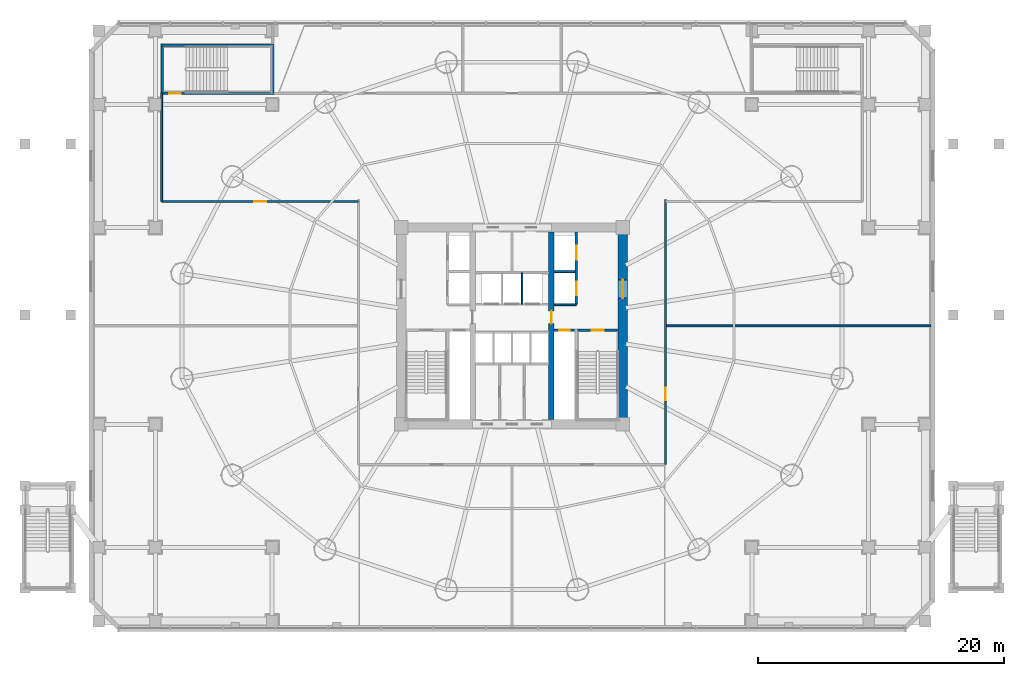
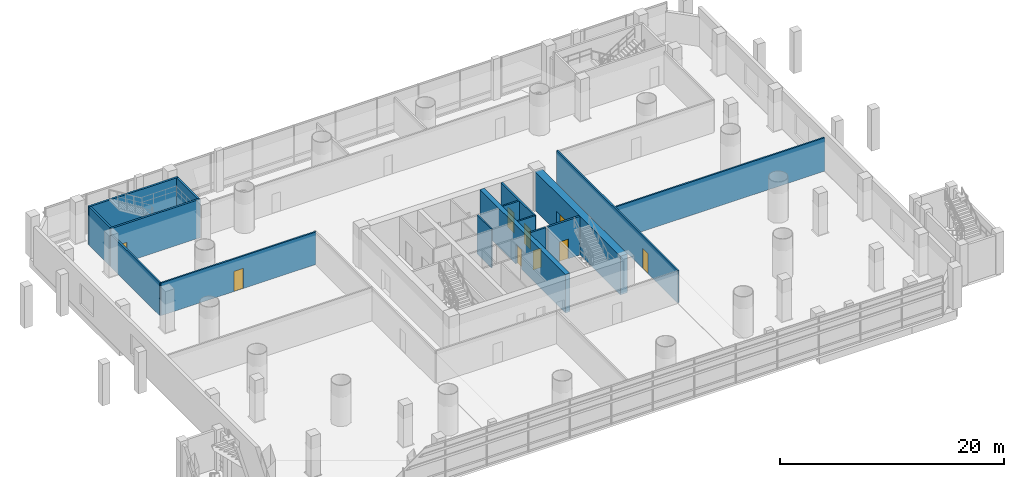
# One storey, part 22 of 36: 16 walls, 9 doors, 9 openings.
"""IFC4 building model written with IfcOpenShell, lengths in metres."""

from ifc_helpers import new_model, si_unit, direction, frame, frame_2d, origin, place, context, subcontext, project, spatial, rectangle, extrude, source, transform, mapped, material, layer, layer_set, type_object, element, fill, save


model = new_model("IFC4")

# Units and contexts
model_context = context("Model", 3, precision=1e-05, world=origin(), true_north=direction((-0.2419218956, 0.970295726276)))
body_context = subcontext(model_context, "Body", "Model", "MODEL_VIEW")
ifc_project = project(units=[si_unit("LENGTHUNIT", "METRE"), si_unit("AREAUNIT", "SQUARE_METRE"), si_unit("VOLUMEUNIT", "CUBIC_METRE"), si_unit("PLANEANGLEUNIT", "RADIAN"), si_unit("MASSUNIT", "GRAM", prefix="KILO")], contexts=[model_context])

# Site, building, storey
site_placement = place(None, origin())
site = spatial("IfcSite", under=ifc_project, at=site_placement, CompositionType="ELEMENT")
building_placement = place(site_placement, origin())
building = spatial("IfcBuilding", under=site, at=building_placement, Name="Cobrevalo Terracotta Tower", CompositionType="ELEMENT")
storey_placement = place(building_placement, frame((0.0, 0.0, 9.89990234375)))
storey = spatial("IfcBuildingStorey", under=building, at=storey_placement, Name="L02", CompositionType="ELEMENT", Elevation=9.89990234375)

# Wall, opening, door
ifc_material_1 = material(Name="Concrete C60", Category="concrete")
ifc_layer_1 = layer(ifc_material_1, 0.75)
ifc_layer_set_1 = layer_set([ifc_layer_1], Name="Concrete C60")
wall_type_1 = type_object("IfcWallType", Name="Core shear wall 750 mm Concrete C60", PredefinedType="SHEAR", material=ifc_layer_set_1)
wall_1_placement = place(storey_placement, frame((47.0, 19.175048828125, 0.0), z_axis=(0.0, 0.0, 1.0), x_axis=(0.0, 1.0, 0.0)))
wall_1 = element("IfcWall", 1, at=wall_1_placement, inside=storey, type_object=wall_type_1, Name="L02 east core shear wall", PredefinedType="SHEAR", context=body_context, shape_type="SweptSolid", body=[
    extrude(rectangle(XDim=15.25, YDim=0.75, at=frame_2d((7.625, 0.0))), origin(), (0.0, 0.0, 1.0), 4.2001953125),
])
opening_1_placement = place(wall_1_placement, frame((9.875, 0.0, 0.0)))
opening_1 = element("IfcOpeningElement", 2, at=opening_1_placement, cuts=wall_1, Name="Opening ID-14", PredefinedType="OPENING", context=body_context, shape_type="SweptSolid", body=[
    extrude(rectangle(XDim=1.5, YDim=2.199951171875, at=frame_2d((0.75, 1.10009765625))), frame((0.0, 0.385009765625, 0.0), z_axis=(0.0, -1.0, 0.0), x_axis=(1.0, 0.0, 0.0)), (0.0, 0.0, 1.0), 0.77001953125),
])
ifc_material_2 = material(Name="Galvanized fire-rated steel", Category="steel")
door_type_1 = type_object("IfcDoorType", Name="Core cross-lobby double fire door 1500x2200 EI 90", OperationType="NOTDEFINED", PredefinedType="DOOR", material=ifc_material_2)
shared_shape_1 = source(origin(), body_context, "Body", "SweptSolid", [
    extrude(rectangle(XDim=1.5, YDim=2.199951171875, at=frame_2d((0.75, 1.10009765625))), frame((0.0, 0.02490234375, 0.0), z_axis=(0.0, -1.0, 0.0), x_axis=(1.0, 0.0, 0.0)), (0.0, 0.0, 1.0), 0.050048828125),
])
door_1_placement = place(opening_1_placement, frame((1.5, 0.0, 0.0), z_axis=(0.0, 0.0, 1.0), x_axis=(-1.0, 0.0, 0.0)))
door_1 = element("IfcDoor", 3, at=door_1_placement, inside=storey, type_object=door_type_1, Name="L02 east firefighting lobby entrance door", OperationType="DOUBLE_DOOR_SINGLE_SWING", OverallHeight=2.199951171875, OverallWidth=1.5, PredefinedType="DOOR", context=body_context, shape_type="MappedRepresentation", body=[
    mapped(shared_shape_1, transform((0.0, 0.0, 0.0), scale=1.0)),
])
fill(opening_1, door_1)

# Walls
ifc_material_3 = material(Name="Gypsum board on steel stud", Category="steel")
ifc_layer_2 = layer(ifc_material_3, 0.159912109375)
ifc_layer_set_2 = layer_set([ifc_layer_2], Name="Gypsum board on steel stud")
wall_type_2 = type_object("IfcWallType", Name="Fire-rated corridor acoustic partition wall 160 mm", PredefinedType="PARTITIONING", material=ifc_layer_set_2)
wall_2_placement = place(storey_placement, frame((41.425048828125, 31.219970703125, 0.0), z_axis=(0.0, 0.0, 1.0), x_axis=(1.0, 0.0, 0.0)))
element("IfcWall", 4, at=wall_2_placement, inside=storey, type_object=wall_type_2, Name="L02 interior partition IW-L02-FF2-M", PredefinedType="PARTITIONING", context=body_context, shape_type="SweptSolid", body=[
    extrude(rectangle(XDim=1.71484375, YDim=0.159912109375, at=frame_2d((0.857421875, 0.0))), origin(), (0.0, 0.0, 1.0), 4.2001953125),
])
wall_3_placement = place(storey_placement, frame((41.425048828125, 28.52001953125, 0.0), z_axis=(0.0, 0.0, 1.0), x_axis=(1.0, 0.0, 0.0)))
element("IfcWall", 5, at=wall_3_placement, inside=storey, type_object=wall_type_2, Name="L02 interior partition IW-L02-FF2-S", PredefinedType="PARTITIONING", context=body_context, shape_type="SweptSolid", body=[
    extrude(rectangle(XDim=1.804931640625, YDim=0.159912109375, at=frame_2d((0.90234375, 0.0))), origin(), (0.0, 0.0, 1.0), 4.2001953125),
])

# Wall, opening, door
wall_4_placement = place(storey_placement, frame((50.47998046875, 15.52001953125, 0.0), z_axis=(0.0, 0.0, 1.0), x_axis=(0.0, 1.0, 0.0)))
wall_4 = element("IfcWall", 6, at=wall_4_placement, inside=storey, type_object=wall_type_2, Name="L02 interior partition IW-L02-PC-E", PredefinedType="PARTITIONING", context=body_context, shape_type="SweptSolid", body=[
    extrude(rectangle(XDim=21.56005859375, YDim=0.159912109375, at=frame_2d((10.780029296875, 0.0))), origin(), (0.0, 0.0, 1.0), 3.550048828125),
])
opening_2_placement = place(wall_4_placement, frame((5.25439453125, 0.0, 0.0)))
opening_2 = element("IfcOpeningElement", 7, at=opening_2_placement, cuts=wall_4, Name="Opening ID-05", PredefinedType="OPENING", context=body_context, shape_type="SweptSolid", body=[
    extrude(rectangle(XDim=0.97998046875, YDim=2.199951171875, at=frame_2d((0.489990234375, 1.10009765625))), frame((0.0, 0.08984375, 0.0), z_axis=(0.0, -1.0, 0.0), x_axis=(1.0, 0.0, 0.0)), (0.0, 0.0, 1.0), 0.179931640625),
])
ifc_material_4 = material(Name="Solid hardwood timber", Category="wood")
door_type_2 = type_object("IfcDoorType", Name="Residence entrance fire-rated acoustic timber door 980x2200 EI 60", OperationType="NOTDEFINED", PredefinedType="DOOR", material=ifc_material_4)
shared_shape_2 = source(origin(), body_context, "Body", "SweptSolid", [
    extrude(rectangle(XDim=0.97998046875, YDim=2.199951171875, at=frame_2d((0.489990234375, 1.10009765625))), frame((0.0, 0.02490234375, 0.0), z_axis=(0.0, -1.0, 0.0), x_axis=(1.0, 0.0, 0.0)), (0.0, 0.0, 1.0), 0.050048828125),
])
door_2_placement = place(opening_2_placement, frame((0.97998046875, 0.0, 0.0), z_axis=(0.0, 0.0, 1.0), x_axis=(-1.0, 0.0, 0.0)))
door_2 = element("IfcDoor", 8, at=door_2_placement, inside=storey, type_object=door_type_2, Name="L02 Architecture Library door", OperationType="SINGLE_SWING_RIGHT", OverallHeight=2.199951171875, OverallWidth=0.97998046875, PredefinedType="DOOR", context=body_context, shape_type="MappedRepresentation", body=[
    mapped(shared_shape_2, transform((0.0, 0.0, 0.0), scale=1.0)),
])
fill(opening_2, door_2)

wall_5_placement = place(storey_placement, frame((9.52001953125, 36.919921875, 0.0), z_axis=(0.0, 0.0, 1.0), x_axis=(1.0, 0.0, 0.0)))
wall_5 = element("IfcWall", 9, at=wall_5_placement, inside=storey, type_object=wall_type_2, Name="L02 interior partition IW-L02-PC-SW", PredefinedType="PARTITIONING", context=body_context, shape_type="SweptSolid", body=[
    extrude(rectangle(XDim=16.0, YDim=0.159912109375, at=frame_2d((8.0, 0.0))), origin(), (0.0, 0.0, 1.0), 3.550048828125),
])
opening_3_placement = place(wall_5_placement, frame((7.510009765625, 0.0, 0.0)))
opening_3 = element("IfcOpeningElement", 10, at=opening_3_placement, cuts=wall_5, Name="Opening ID-05", PredefinedType="OPENING", context=body_context, shape_type="SweptSolid", body=[
    extrude(rectangle(XDim=0.97998046875, YDim=2.199951171875, at=frame_2d((0.489990234375, 1.10009765625))), frame((0.0, 0.08984375, 0.0), z_axis=(0.0, -1.0, 0.0), x_axis=(1.0, 0.0, 0.0)), (0.0, 0.0, 1.0), 0.179931640625),
])
door_3_placement = place(opening_3_placement, frame((0.97998046875, 0.0, 0.0), z_axis=(0.0, 0.0, 1.0), x_axis=(-1.0, 0.0, 0.0)))
door_3 = element("IfcDoor", 11, at=door_3_placement, inside=storey, type_object=door_type_2, Name="L02 Executive Boardroom Suite door", OperationType="SINGLE_SWING_LEFT", OverallHeight=2.199951171875, OverallWidth=0.97998046875, PredefinedType="DOOR", context=body_context, shape_type="MappedRepresentation", body=[
    mapped(shared_shape_2, transform((0.0, 0.0, 0.0), scale=1.0)),
])
fill(opening_3, door_3)

# Walls
wall_6_placement = place(storey_placement, frame((9.52001953125, 36.919921875, 0.0), z_axis=(0.0, 0.0, 1.0), x_axis=(0.0, 1.0, 0.0)))
element("IfcWall", 12, at=wall_6_placement, inside=storey, type_object=wall_type_2, Name="L02 interior partition IW-L02-PC-NW", PredefinedType="PARTITIONING", context=body_context, shape_type="SweptSolid", body=[
    extrude(rectangle(XDim=8.780029296875, YDim=0.159912109375, at=frame_2d((4.39013671875, 0.0))), origin(), (0.0, 0.0, 1.0), 3.569091796875),
])
wall_7_placement = place(storey_placement, frame((50.56201171875, 26.800048828125, 0.0), z_axis=(0.0, 0.0, 1.0), x_axis=(1.0, 0.0, 0.0)))
element("IfcWall", 13, at=wall_7_placement, inside=storey, type_object=wall_type_2, Name="L02 interior partition IW-L02-PE-M", PredefinedType="PARTITIONING", context=body_context, shape_type="SweptSolid", body=[
    extrude(rectangle(XDim=21.47802734375, YDim=0.159912109375, at=frame_2d((10.739013671875, 0.0))), origin(), (0.0, 0.0, 1.0), 3.64208984375),
])

# Wall, opening, door
ifc_layer_3 = layer(ifc_material_3, 0.179931640625)
ifc_layer_set_3 = layer_set([ifc_layer_3], Name="Gypsum board on steel stud")
wall_type_3 = type_object("IfcWallType", Name="Fire-rated shaft & lobby acoustic partition wall 180 mm", PredefinedType="PARTITIONING", material=ifc_layer_set_3)
wall_8_placement = place(storey_placement, frame((41.425048828125, 26.449951171875, 0.0), z_axis=(0.0, 0.0, 1.0), x_axis=(1.0, 0.0, 0.0)))
wall_8 = element("IfcWall", 14, at=wall_8_placement, inside=storey, type_object=wall_type_3, Name="L02 interior partition IW-L02-RSE-N", PredefinedType="PARTITIONING", context=body_context, shape_type="SweptSolid", body=[
    extrude(rectangle(XDim=1.675048828125, YDim=0.179931640625, at=frame_2d((0.83740234375, 0.0))), origin(), (0.0, 0.0, 1.0), 4.2001953125),
])
opening_4_placement = place(wall_8_placement, frame((0.41259765625, 0.0, 0.0)))
opening_4 = element("IfcOpeningElement", 15, at=opening_4_placement, cuts=wall_8, Name="Opening ID-22", PredefinedType="OPENING", context=body_context, shape_type="SweptSolid", body=[
    extrude(rectangle(XDim=0.85009765625, YDim=2.10009765625, at=frame_2d((0.425048828125, 1.050048828125))), frame((0.0, 0.10009765625, 0.0), z_axis=(0.0, -1.0, 0.0), x_axis=(1.0, 0.0, 0.0)), (0.0, 0.0, 1.0), 0.199951171875),
])
ifc_material_5 = material(Name="Powder-coated steel", Category="steel")
door_type_3 = type_object("IfcDoorType", Name="Riser shaft & meter closet fire access door 850x2100 EI 60", OperationType="NOTDEFINED", PredefinedType="DOOR", material=ifc_material_5)
shared_shape_3 = source(origin(), body_context, "Body", "SweptSolid", [
    extrude(rectangle(XDim=0.85009765625, YDim=2.10009765625, at=frame_2d((0.425048828125, 1.050048828125))), frame((0.0, 0.02490234375, 0.0), z_axis=(0.0, -1.0, 0.0), x_axis=(1.0, 0.0, 0.0)), (0.0, 0.0, 1.0), 0.050048828125),
])
door_4_placement = place(opening_4_placement, origin())
door_4 = element("IfcDoor", 16, at=door_4_placement, inside=storey, type_object=door_type_3, Name="L02 riser access door RSE", OperationType="SINGLE_SWING_RIGHT", OverallHeight=2.10009765625, OverallWidth=0.85009765625, PredefinedType="DOOR", context=body_context, shape_type="MappedRepresentation", body=[
    mapped(shared_shape_3, transform((0.0, 0.0, 0.0), scale=1.0)),
])
fill(opening_4, door_4)

# Wall, openings, doors
wall_9_placement = place(storey_placement, frame((43.22998046875, 28.52001953125, 0.0), z_axis=(0.0, 0.0, 1.0), x_axis=(0.0, 1.0, 0.0)))
wall_9 = element("IfcWall", 17, at=wall_9_placement, inside=storey, type_object=wall_type_3, Name="L02 interior partition IW-L02-FF2-E", PredefinedType="PARTITIONING", context=body_context, shape_type="SweptSolid", body=[
    extrude(rectangle(XDim=5.905029296875, YDim=0.179931640625, at=frame_2d((2.95263671875, 0.0))), origin(), (0.0, 0.0, 1.0), 4.2001953125),
])
opening_5_placement = place(wall_9_placement, frame((3.655029296875, 0.0, 0.0)))
opening_5 = element("IfcOpeningElement", 18, at=opening_5_placement, cuts=wall_9, Name="Opening LD-02", PredefinedType="OPENING", context=body_context, shape_type="SweptSolid", body=[
    extrude(rectangle(XDim=1.14990234375, YDim=2.199951171875, at=frame_2d((0.574951171875, 1.10009765625))), frame((0.0, 0.10009765625, 0.0), z_axis=(0.0, -1.0, 0.0), x_axis=(1.0, 0.0, 0.0)), (0.0, 0.0, 1.0), 0.199951171875),
])
opening_6_placement = place(wall_9_placement, frame((0.780029296875, 0.0, 0.0)))
opening_6 = element("IfcOpeningElement", 19, at=opening_6_placement, cuts=wall_9, Name="Opening LD-01", PredefinedType="OPENING", context=body_context, shape_type="SweptSolid", body=[
    extrude(rectangle(XDim=1.10009765625, YDim=2.199951171875, at=frame_2d((0.550048828125, 1.10009765625))), frame((0.0, 0.10009765625, 0.0), z_axis=(0.0, -1.0, 0.0), x_axis=(1.0, 0.0, 0.0)), (0.0, 0.0, 1.0), 0.199951171875),
])
ifc_material_6 = material(Name="Brushed stainless steel", Category="steel")
door_type_4 = type_object("IfcDoorType", Name="Firefighting lift landing bi-parting sliding door 1150x2200 EI 120", OperationType="DOUBLE_DOOR_SLIDING", PredefinedType="DOOR", material=ifc_material_6)
shared_shape_4 = source(origin(), body_context, "Body", "SweptSolid", [
    extrude(rectangle(XDim=1.14990234375, YDim=2.199951171875, at=frame_2d((0.574951171875, 1.10009765625))), frame((0.0, 0.02490234375, 0.0), z_axis=(0.0, -1.0, 0.0), x_axis=(1.0, 0.0, 0.0)), (0.0, 0.0, 1.0), 0.050048828125),
])
door_5_placement = place(opening_5_placement, origin())
door_5 = element("IfcDoor", 20, at=door_5_placement, inside=storey, type_object=door_type_4, Name="L02 lift landing door FF-2", OperationType="DOUBLE_DOOR_SLIDING", OverallHeight=2.199951171875, OverallWidth=1.14990234375, PredefinedType="DOOR", context=body_context, shape_type="MappedRepresentation", body=[
    mapped(shared_shape_4, transform((0.0, 0.0, 0.0), scale=1.0)),
])
fill(opening_5, door_5)
door_type_5 = type_object("IfcDoorType", Name="Passenger lift landing bi-parting sliding door 1100x2200 EI 90", OperationType="DOUBLE_DOOR_SLIDING", PredefinedType="DOOR", material=ifc_material_6)
shared_shape_5 = source(origin(), body_context, "Body", "SweptSolid", [
    extrude(rectangle(XDim=1.10009765625, YDim=2.199951171875, at=frame_2d((0.550048828125, 1.10009765625))), frame((0.0, 0.02490234375, 0.0), z_axis=(0.0, -1.0, 0.0), x_axis=(1.0, 0.0, 0.0)), (0.0, 0.0, 1.0), 0.050048828125),
])
door_6_placement = place(opening_6_placement, origin())
door_6 = element("IfcDoor", 21, at=door_6_placement, inside=storey, type_object=door_type_5, Name="L02 lift landing door PL-P1", OperationType="DOUBLE_DOOR_SLIDING", OverallHeight=2.199951171875, OverallWidth=1.10009765625, PredefinedType="DOOR", context=body_context, shape_type="MappedRepresentation", body=[
    mapped(shared_shape_5, transform((0.0, 0.0, 0.0), scale=1.0)),
])
fill(opening_6, door_6)

# Wall
ifc_material_7 = material(Name="Autoclaved aerated concrete block", Category="concrete")
ifc_layer_4 = layer(ifc_material_7, 0.1201171875)
ifc_layer_set_4 = layer_set([ifc_layer_4], Name="Autoclaved aerated concrete block")
wall_type_4 = type_object("IfcWallType", Name="Fire-rated wet-room & core service partition 120 mm", PredefinedType="PARTITIONING", material=ifc_layer_set_4)
wall_10_placement = place(storey_placement, frame((38.830078125, 28.56005859375, 0.0), z_axis=(0.0, 0.0, 1.0), x_axis=(0.0, 1.0, 0.0)))
element("IfcWall", 22, at=wall_10_placement, inside=storey, type_object=wall_type_4, Name="L02 interior partition IW-L02-LB-D2", PredefinedType="PARTITIONING", context=body_context, shape_type="SweptSolid", body=[
    extrude(rectangle(XDim=2.56005859375, YDim=0.1201171875, at=frame_2d((1.280029296875, 0.0))), origin(), (0.0, 0.0, 1.0), 4.2001953125),
])

# Wall, opening, door
ifc_material_8 = material(Name="Concrete C55", Category="concrete")
ifc_layer_5 = layer(ifc_material_8, 0.449951171875)
ifc_layer_set_5 = layer_set([ifc_layer_5], Name="Concrete C55")
wall_type_5 = type_object("IfcWallType", Name="Internal core shear web wall 450 mm Concrete C55", PredefinedType="SHEAR", material=ifc_layer_set_5)
wall_11_placement = place(storey_placement, frame((41.199951171875, 19.175048828125, 0.0), z_axis=(0.0, 0.0, 1.0), x_axis=(0.0, 1.0, 0.0)))
wall_11 = element("IfcWall", 23, at=wall_11_placement, inside=storey, type_object=wall_type_5, Name="L02 internal core shear wall WEB-E", PredefinedType="SHEAR", context=body_context, shape_type="SweptSolid", body=[
    extrude(rectangle(XDim=15.25, YDim=0.449951171875, at=frame_2d((7.625, 0.0))), origin(), (0.0, 0.0, 1.0), 4.2001953125),
])
opening_7_placement = place(wall_11_placement, frame((7.800048828125, 0.0, 0.0)))
opening_7 = element("IfcOpeningElement", 24, at=opening_7_placement, cuts=wall_11, Name="Opening ID-11", PredefinedType="OPENING", context=body_context, shape_type="SweptSolid", body=[
    extrude(rectangle(XDim=1.050048828125, YDim=2.14990234375, at=frame_2d((0.52490234375, 1.074951171875))), frame((0.0, 0.23486328125, 0.0), z_axis=(0.0, -1.0, 0.0), x_axis=(1.0, 0.0, 0.0)), (0.0, 0.0, 1.0), 0.469970703125),
])
door_type_6 = type_object("IfcDoorType", Name="Core concourse cross fire door 1050x2150 EI 90", OperationType="NOTDEFINED", PredefinedType="DOOR", material=ifc_material_2)
shared_shape_6 = source(origin(), body_context, "Body", "SweptSolid", [
    extrude(rectangle(XDim=1.050048828125, YDim=2.14990234375, at=frame_2d((0.52490234375, 1.074951171875))), frame((0.0, 0.02490234375, 0.0), z_axis=(0.0, -1.0, 0.0), x_axis=(1.0, 0.0, 0.0)), (0.0, 0.0, 1.0), 0.050048828125),
])
door_7_placement = place(opening_7_placement, frame((1.050048828125, 0.0, 0.0), z_axis=(0.0, 0.0, 1.0), x_axis=(-1.0, 0.0, 0.0)))
door_7 = element("IfcDoor", 25, at=door_7_placement, inside=storey, type_object=door_type_6, Name="L02 east core concourse cross door", OperationType="SINGLE_SWING_RIGHT", OverallHeight=2.14990234375, OverallWidth=1.050048828125, PredefinedType="DOOR", context=body_context, shape_type="MappedRepresentation", body=[
    mapped(shared_shape_6, transform((0.0, 0.0, 0.0), scale=1.0)),
])
fill(opening_7, door_7)

ifc_material_9 = material(Name="Concrete C50", Category="concrete")
ifc_layer_6 = layer(ifc_material_9, 0.199951171875)
ifc_layer_set_6 = layer_set([ifc_layer_6], Name="Concrete C50")
wall_type_6 = type_object("IfcWallType", Name="Structural core & podium stair-shaft RC wall 200 mm Concrete C50", PredefinedType="SOLIDWALL", material=ifc_layer_set_6)
wall_12_placement = place(storey_placement, frame((43.304931640625, 26.449951171875, 0.0), z_axis=(0.0, 0.0, 1.0), x_axis=(1.0, 0.0, 0.0)))
wall_12 = element("IfcWall", 26, at=wall_12_placement, inside=storey, type_object=wall_type_6, Name="L02 ST-2 north structural shaft wall", PredefinedType="SOLIDWALL", context=body_context, shape_type="SweptSolid", body=[
    extrude(rectangle(XDim=3.320068359375, YDim=0.199951171875, at=frame_2d((1.66015625, 0.0))), origin(), (0.0, 0.0, 1.0), 4.2001953125),
])
opening_8_placement = place(wall_12_placement, frame((1.18505859375, 0.0, 0.0)))
opening_8 = element("IfcOpeningElement", 27, at=opening_8_placement, cuts=wall_12, Name="Opening ID-04", PredefinedType="OPENING", context=body_context, shape_type="SweptSolid", body=[
    extrude(rectangle(XDim=0.949951171875, YDim=2.14990234375, at=frame_2d((0.47509765625, 1.074951171875))), frame((0.0, 0.10986328125, 0.0), z_axis=(0.0, -1.0, 0.0), x_axis=(1.0, 0.0, 0.0)), (0.0, 0.0, 1.0), 0.219970703125),
])
door_type_7 = type_object("IfcDoorType", Name="Stair & firefighting lobby fire door 950x2150 EI 90", OperationType="NOTDEFINED", PredefinedType="DOOR", material=ifc_material_2)
shared_shape_7 = source(origin(), body_context, "Body", "SweptSolid", [
    extrude(rectangle(XDim=0.949951171875, YDim=2.14990234375, at=frame_2d((0.47509765625, 1.074951171875))), frame((0.0, 0.02490234375, 0.0), z_axis=(0.0, -1.0, 0.0), x_axis=(1.0, 0.0, 0.0)), (0.0, 0.0, 1.0), 0.050048828125),
])
door_8_placement = place(opening_8_placement, frame((0.949951171875, 0.0, 0.0), z_axis=(0.0, 0.0, 1.0), x_axis=(-1.0, 0.0, 0.0)))
door_8 = element("IfcDoor", 28, at=door_8_placement, inside=storey, type_object=door_type_7, Name="L02 protected stair ST2 fire door", OperationType="SINGLE_SWING_RIGHT", OverallHeight=2.14990234375, OverallWidth=0.949951171875, PredefinedType="DOOR", context=body_context, shape_type="MappedRepresentation", body=[
    mapped(shared_shape_7, transform((0.0, 0.0, 0.0), scale=1.0)),
])
fill(opening_8, door_8)

wall_13_placement = place(storey_placement, frame((9.449951171875, 45.699951171875, 0.0), z_axis=(0.0, 0.0, 1.0), x_axis=(1.0, 0.0, 0.0)))
wall_13 = element("IfcWall", 29, at=wall_13_placement, inside=storey, type_object=wall_type_6, Name="L02 STP1 south structural shaft wall", PredefinedType="SOLIDWALL", context=body_context, shape_type="SweptSolid", body=[
    extrude(rectangle(XDim=9.199951171875, YDim=0.199951171875, at=frame_2d((4.60009765625, 0.0))), origin(), (0.0, 0.0, 1.0), 4.2001953125),
])
opening_9_placement = place(wall_13_placement, frame((0.675048828125, 0.0, 0.0)))
opening_9 = element("IfcOpeningElement", 30, at=opening_9_placement, cuts=wall_13, Name="Opening ID-04", PredefinedType="OPENING", context=body_context, shape_type="SweptSolid", body=[
    extrude(rectangle(XDim=0.949951171875, YDim=2.14990234375, at=frame_2d((0.47509765625, 1.074951171875))), frame((0.0, 0.10986328125, 0.0), z_axis=(0.0, -1.0, 0.0), x_axis=(1.0, 0.0, 0.0)), (0.0, 0.0, 1.0), 0.219970703125),
])
door_9_placement = place(opening_9_placement, frame((0.949951171875, 0.0, 0.0), z_axis=(0.0, 0.0, 1.0), x_axis=(-1.0, 0.0, 0.0)))
door_9 = element("IfcDoor", 31, at=door_9_placement, inside=storey, type_object=door_type_7, Name="L02 podium exit stair STP1 fire door", OperationType="SINGLE_SWING_LEFT", OverallHeight=2.14990234375, OverallWidth=0.949951171875, PredefinedType="DOOR", context=body_context, shape_type="MappedRepresentation", body=[
    mapped(shared_shape_7, transform((0.0, 0.0, 0.0), scale=1.0)),
])
fill(opening_9, door_9)

# Walls
wall_14_placement = place(storey_placement, frame((9.449951171875, 49.6201171875, 0.0), z_axis=(0.0, 0.0, 1.0), x_axis=(1.0, 0.0, 0.0)))
element("IfcWall", 32, at=wall_14_placement, inside=storey, type_object=wall_type_6, Name="L02 STP1 north structural shaft wall", PredefinedType="SOLIDWALL", context=body_context, shape_type="SweptSolid", body=[
    extrude(rectangle(XDim=9.199951171875, YDim=0.199951171875, at=frame_2d((4.60009765625, 0.0))), origin(), (0.0, 0.0, 1.0), 4.2001953125),
])
for number, where, z_axis, x_axis, name in (
    (33, (9.550048828125, 45.800048828125, 0.0), (0.0, 0.0, 1.0), (0.0, 1.0, 0.0), "L02 STP1 west structural shaft wall"),
    (34, (18.550048828125, 45.800048828125, 0.0), (0.0, 0.0, 1.0), (0.0, 1.0, 0.0), "L02 STP1 east structural shaft wall"),
):
    element("IfcWall", number, at=place(storey_placement, frame(where, z_axis=z_axis, x_axis=x_axis)), inside=storey, type_object=wall_type_6, Name=name, PredefinedType="SOLIDWALL", context=body_context, shape_type="SweptSolid", body=[
        extrude(rectangle(XDim=3.719970703125, YDim=0.199951171875, at=frame_2d((1.85986328125, 0.0))), origin(), (0.0, 0.0, 1.0), 4.2001953125),
    ])

save(model, "model.ifc")
